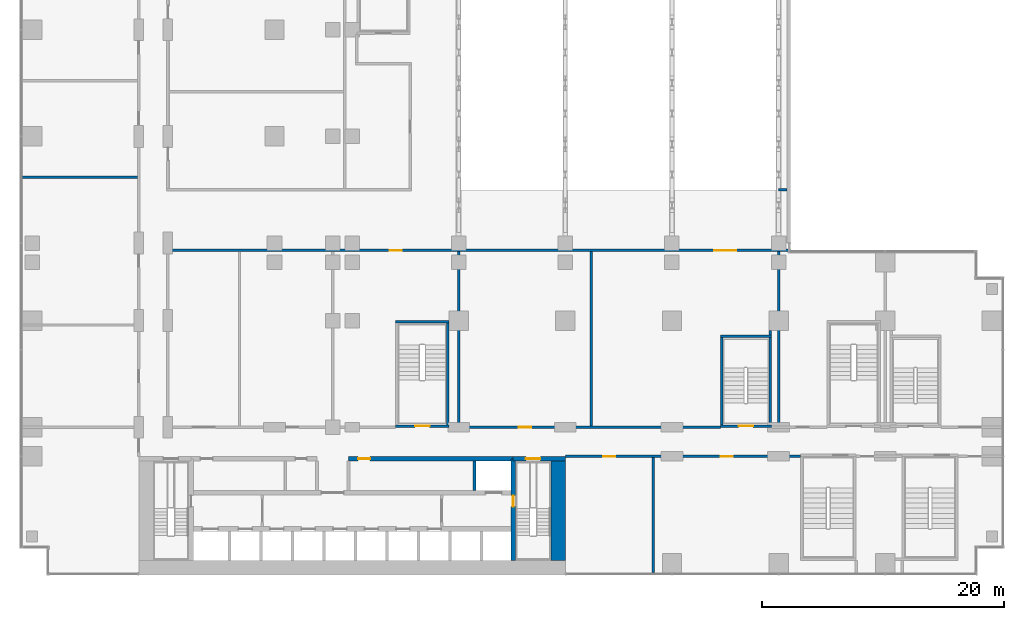
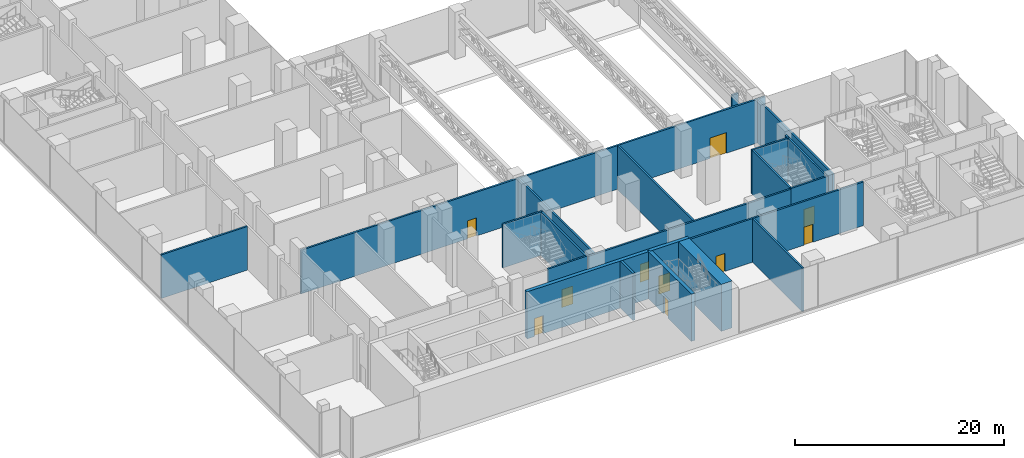
# One storey, part 19 of 30: 21 walls, 10 doors, 10 openings.
"""IFC4 building model written with IfcOpenShell, lengths in metres."""

from ifc_helpers import new_model, si_unit, direction, frame, frame_2d, origin, place, context, subcontext, project, spatial, rectangle, extrude, material, layer, layer_set, type_object, element, fill, save


model = new_model("IFC4")

# Units and contexts
model_context = context("Model", 3, precision=1e-05, world=origin(), true_north=direction((0.0, 1.0)))
body_context = subcontext(model_context, "Body", "Model", "MODEL_VIEW")
ifc_project = project(units=[si_unit("LENGTHUNIT", "METRE"), si_unit("AREAUNIT", "SQUARE_METRE"), si_unit("VOLUMEUNIT", "CUBIC_METRE"), si_unit("PLANEANGLEUNIT", "RADIAN"), si_unit("MASSUNIT", "GRAM", prefix="KILO")], contexts=[model_context])

# Site, building, storey
site_placement = place(None, origin())
site = spatial("IfcSite", under=ifc_project, at=site_placement, CompositionType="ELEMENT")
building_placement = place(site_placement, origin())
building = spatial("IfcBuilding", under=site, at=building_placement, Name="Kemantara Hotel Tower", CompositionType="ELEMENT")
storey_placement = place(building_placement, frame((0.0, 0.0, 23.5)))
storey = spatial("IfcBuildingStorey", under=building, at=storey_placement, Name="L04", CompositionType="ELEMENT", Elevation=23.5)

# Walls
ifc_material_1 = material(Name="Concrete fc 70 MPa", Category="concrete")
ifc_layer_1 = layer(ifc_material_1, 1.199951171875)
ifc_layer_set_1 = layer_set([ifc_layer_1], Name="Concrete fc 70 MPa")
wall_type_1 = type_object("IfcWallType", Name="CORE WALL 1200 FC70", PredefinedType="SHEAR", material=ifc_layer_set_1)
wall_1_placement = place(storey_placement, frame((44.39990234375, 1.199951171875, 0.0), z_axis=(0.0, 0.0, 1.0), x_axis=(0.0, 1.0, 0.0)))
element("IfcWall", 1, at=wall_1_placement, inside=storey, type_object=wall_type_1, Name="CORE WALL CW-E", PredefinedType="SHEAR", context=body_context, shape_type="SweptSolid", body=[
    extrude(rectangle(XDim=8.60009765625, YDim=1.199951171875, at=frame_2d((4.300048828125, 0.0))), origin(), (0.0, 0.0, 1.0), 5.5),
])
ifc_layer_2 = layer(ifc_material_1, 0.25)
ifc_layer_set_2 = layer_set([ifc_layer_2], Name="Concrete fc 70 MPa")
wall_type_2 = type_object("IfcWallType", Name="CORE WALL 250 FC70", PredefinedType="SHEAR", material=ifc_layer_set_2)
wall_2_placement = place(storey_placement, frame((37.5, 7.0, 0.0), z_axis=(0.0, 0.0, 1.0), x_axis=(0.0, 1.0, 0.0)))
element("IfcWall", 2, at=wall_2_placement, inside=storey, type_object=wall_type_2, Name="CORE WALL CW-DN37.5", PredefinedType="SHEAR", context=body_context, shape_type="SweptSolid", body=[
    extrude(rectangle(XDim=2.39990234375, YDim=0.25, at=frame_2d((1.199951171875, 0.0))), origin(), (0.0, 0.0, 1.0), 5.5),
])

# Wall, opening, door
ifc_layer_3 = layer(ifc_material_1, 0.39990234375)
ifc_layer_set_3 = layer_set([ifc_layer_3], Name="Concrete fc 70 MPa")
wall_type_3 = type_object("IfcWallType", Name="CORE WALL 400 FC70", PredefinedType="SHEAR", material=ifc_layer_set_3)
wall_3_placement = place(storey_placement, frame((40.699951171875, 9.60009765625, 0.0), z_axis=(0.0, 0.0, 1.0), x_axis=(1.0, 0.0, 0.0)))
wall_3 = element("IfcWall", 3, at=wall_3_placement, inside=storey, type_object=wall_type_3, Name="CORE WALL CW-N2", PredefinedType="SHEAR", context=body_context, shape_type="SweptSolid", body=[
    extrude(rectangle(XDim=4.300048828125, YDim=0.39990234375, at=frame_2d((2.14990234375, 0.0))), origin(), (0.0, 0.0, 1.0), 5.5),
])
opening_1_placement = place(wall_3_placement, frame((1.050048828125, 0.0, 0.0)))
opening_1 = element("IfcOpeningElement", 4, at=opening_1_placement, cuts=wall_3, Name="Opening C06-ST2-C", PredefinedType="OPENING", context=body_context, shape_type="SweptSolid", body=[
    extrude(rectangle(XDim=1.199951171875, YDim=2.10009765625, at=frame_2d((0.60009765625, 1.050048828125))), frame((0.0, 0.2099609375, 0.0), z_axis=(0.0, -1.0, 0.0), x_axis=(1.0, 0.0, 0.0)), (0.0, 0.0, 1.0), 0.419921875),
])
ifc_material_2 = material(Name="Steel fire door", Category="steel")
door_type_1 = type_object("IfcDoorType", Name="Fire door FD90 1200 x 2100", OperationType="NOTDEFINED", PredefinedType="DOOR", material=ifc_material_2)
door_1_placement = place(opening_1_placement, frame((1.199951171875, 0.0, 0.0), z_axis=(0.0, 0.0, 1.0), x_axis=(-1.0, 0.0, 0.0)))
door_1 = element("IfcDoor", 5, at=door_1_placement, inside=storey, type_object=door_type_1, Name="Stair ST2 door to corridor", OperationType="SINGLE_SWING_RIGHT", OverallHeight=2.10009765625, OverallWidth=1.199951171875, PredefinedType="DOOR", context=body_context, shape_type="SweptSolid", body=[
    extrude(rectangle(XDim=1.199951171875, YDim=2.10009765625, at=frame_2d((0.60009765625, 1.050048828125))), frame((0.0, 0.02490234375, 0.0), z_axis=(0.0, -1.0, 0.0), x_axis=(1.0, 0.0, 0.0)), (0.0, 0.0, 1.0), 0.050048828125),
])
fill(opening_1, door_1)

wall_4_placement = place(storey_placement, frame((27.10009765625, 9.60009765625, 0.0), z_axis=(0.0, 0.0, 1.0), x_axis=(1.0, 0.0, 0.0)))
wall_4 = element("IfcWall", 6, at=wall_4_placement, inside=storey, type_object=wall_type_3, Name="CORE WALL CW-NN2", PredefinedType="SHEAR", context=body_context, shape_type="SweptSolid", body=[
    extrude(rectangle(XDim=13.599853515625, YDim=0.39990234375, at=frame_2d((6.7998046875, 0.0))), origin(), (0.0, 0.0, 1.0), 5.5),
])
opening_2_placement = place(wall_4_placement, frame((0.800048828125, 0.0, 0.0)))
opening_2 = element("IfcOpeningElement", 7, at=opening_2_placement, cuts=wall_4, Name="Opening C06-R-NE1", PredefinedType="OPENING", context=body_context, shape_type="SweptSolid", body=[
    extrude(rectangle(XDim=1.0, YDim=2.10009765625, at=frame_2d((0.5, 1.050048828125))), frame((0.0, 0.2099609375, 0.0), z_axis=(0.0, -1.0, 0.0), x_axis=(1.0, 0.0, 0.0)), (0.0, 0.0, 1.0), 0.419921875),
])
door_type_2 = type_object("IfcDoorType", Name="Fire door FD30S 1000 x 2100", OperationType="NOTDEFINED", PredefinedType="DOOR", material=ifc_material_2)
door_2_placement = place(opening_2_placement, frame((1.0, 0.0, 0.0), z_axis=(0.0, 0.0, 1.0), x_axis=(-1.0, 0.0, 0.0)))
door_2 = element("IfcDoor", 8, at=door_2_placement, inside=storey, type_object=door_type_2, Name="Housekeeping Store door", OperationType="SINGLE_SWING_RIGHT", OverallHeight=2.10009765625, OverallWidth=1.0, PredefinedType="DOOR", context=body_context, shape_type="SweptSolid", body=[
    extrude(rectangle(XDim=1.0, YDim=2.10009765625, at=frame_2d((0.5, 1.050048828125))), frame((0.0, 0.02490234375, 0.0), z_axis=(0.0, -1.0, 0.0), x_axis=(1.0, 0.0, 0.0)), (0.0, 0.0, 1.0), 0.050048828125),
])
fill(opening_2, door_2)

wall_5_placement = place(storey_placement, frame((40.699951171875, 1.199951171875, 0.0), z_axis=(0.0, 0.0, 1.0), x_axis=(0.0, 1.0, 0.0)))
wall_5 = element("IfcWall", 9, at=wall_5_placement, inside=storey, type_object=wall_type_3, Name="CORE WALL CW-ST2W", PredefinedType="SHEAR", context=body_context, shape_type="SweptSolid", body=[
    extrude(rectangle(XDim=8.400146484375, YDim=0.39990234375, at=frame_2d((4.2001953125, 0.0))), origin(), (0.0, 0.0, 1.0), 5.5),
])
opening_3_placement = place(wall_5_placement, frame((4.449951171875, 0.0, 0.0)))
opening_3 = element("IfcOpeningElement", 10, at=opening_3_placement, cuts=wall_5, Name="Opening C06-ST2-F", PredefinedType="OPENING", context=body_context, shape_type="SweptSolid", body=[
    extrude(rectangle(XDim=0.89990234375, YDim=2.10009765625, at=frame_2d((0.449951171875, 1.050048828125))), frame((0.0, 0.2099609375, 0.0), z_axis=(0.0, -1.0, 0.0), x_axis=(1.0, 0.0, 0.0)), (0.0, 0.0, 1.0), 0.419921875),
])
door_type_3 = type_object("IfcDoorType", Name="Fire door FD90 900 x 2100", OperationType="NOTDEFINED", PredefinedType="DOOR", material=ifc_material_2)
door_3_placement = place(opening_3_placement, frame((0.89990234375, 0.0, 0.0), z_axis=(0.0, 0.0, 1.0), x_axis=(-1.0, 0.0, 0.0)))
door_3 = element("IfcDoor", 11, at=door_3_placement, inside=storey, type_object=door_type_3, Name="Stair ST2 door to firefighting lobby", OperationType="SINGLE_SWING_LEFT", OverallHeight=2.10009765625, OverallWidth=0.89990234375, PredefinedType="DOOR", context=body_context, shape_type="SweptSolid", body=[
    extrude(rectangle(XDim=0.89990234375, YDim=2.10009765625, at=frame_2d((0.449951171875, 1.050048828125))), frame((0.0, 0.02490234375, 0.0), z_axis=(0.0, -1.0, 0.0), x_axis=(1.0, 0.0, 0.0)), (0.0, 0.0, 1.0), 0.050048828125),
])
fill(opening_3, door_3)

ifc_material_3 = material(Name="Concrete fc 40 MPa", Category="concrete")
ifc_layer_4 = layer(ifc_material_3, 0.199951171875)
ifc_layer_set_4 = layer_set([ifc_layer_4], Name="Concrete fc 40 MPa")
wall_type_4 = type_object("IfcWallType", Name="Concrete stair wall 200 mm", PredefinedType="SHEAR", material=ifc_layer_set_4)
wall_6_placement = place(storey_placement, frame((57.800048828125, 12.300048828125, 0.0), z_axis=(0.0, 0.0, 1.0), x_axis=(1.0, 0.0, 0.0)))
wall_6 = element("IfcWall", 12, at=wall_6_placement, inside=storey, type_object=wall_type_4, Name="Stair ST3 enclosure wall with door", PredefinedType="SHEAR", context=body_context, shape_type="SweptSolid", body=[
    extrude(rectangle(XDim=4.199951171875, YDim=0.199951171875, at=frame_2d((2.10009765625, 0.0))), origin(), (0.0, 0.0, 1.0), 5.10009765625),
])
opening_4_placement = place(wall_6_placement, frame((1.5, 0.0, 0.0)))
opening_4 = element("IfcOpeningElement", 13, at=opening_4_placement, cuts=wall_6, Name="Opening ST3-C", PredefinedType="OPENING", context=body_context, shape_type="SweptSolid", body=[
    extrude(rectangle(XDim=1.199951171875, YDim=2.10009765625, at=frame_2d((0.60009765625, 1.050048828125))), frame((0.0, 0.10986328125, 0.0), z_axis=(0.0, -1.0, 0.0), x_axis=(1.0, 0.0, 0.0)), (0.0, 0.0, 1.0), 0.219970703125),
])
door_4_placement = place(opening_4_placement, origin())
door_4 = element("IfcDoor", 14, at=door_4_placement, inside=storey, type_object=door_type_1, Name="Stair ST3 door", OperationType="SINGLE_SWING_RIGHT", OverallHeight=2.10009765625, OverallWidth=1.199951171875, PredefinedType="DOOR", context=body_context, shape_type="SweptSolid", body=[
    extrude(rectangle(XDim=1.199951171875, YDim=2.10009765625, at=frame_2d((0.60009765625, 1.050048828125))), frame((0.0, 0.02490234375, 0.0), z_axis=(0.0, -1.0, 0.0), x_axis=(1.0, 0.0, 0.0)), (0.0, 0.0, 1.0), 0.050048828125),
])
fill(opening_4, door_4)

# Walls
wall_7_placement = place(storey_placement, frame((57.800048828125, 19.699951171875, 0.0), z_axis=(0.0, 0.0, 1.0), x_axis=(1.0, 0.0, 0.0)))
element("IfcWall", 15, at=wall_7_placement, inside=storey, type_object=wall_type_4, Name="Stair ST3 enclosure wall N", PredefinedType="SHEAR", context=body_context, shape_type="SweptSolid", body=[
    extrude(rectangle(XDim=4.199951171875, YDim=0.199951171875, at=frame_2d((2.10009765625, 0.0))), origin(), (0.0, 0.0, 1.0), 5.10009765625),
])
wall_8_placement = place(storey_placement, frame((57.89990234375, 12.39990234375, 0.0), z_axis=(0.0, 0.0, 1.0), x_axis=(0.0, 1.0, 0.0)))
element("IfcWall", 16, at=wall_8_placement, inside=storey, type_object=wall_type_4, Name="Stair ST3 enclosure wall W", PredefinedType="SHEAR", context=body_context, shape_type="SweptSolid", body=[
    extrude(rectangle(XDim=7.2001953125, YDim=0.199951171875, at=frame_2d((3.60009765625, 0.0))), origin(), (0.0, 0.0, 1.0), 5.10009765625),
])
wall_9_placement = place(storey_placement, frame((61.89990234375, 12.39990234375, 0.0), z_axis=(0.0, 0.0, 1.0), x_axis=(0.0, 1.0, 0.0)))
element("IfcWall", 17, at=wall_9_placement, inside=storey, type_object=wall_type_4, Name="Stair ST3 enclosure wall E", PredefinedType="SHEAR", context=body_context, shape_type="SweptSolid", body=[
    extrude(rectangle(XDim=7.800048828125, YDim=0.199951171875, at=frame_2d((3.89990234375, 0.0))), origin(), (0.0, 0.0, 1.0), 5.10009765625),
])

# Wall, opening, door
wall_10_placement = place(storey_placement, frame((31.0, 12.300048828125, 0.0), z_axis=(0.0, 0.0, 1.0), x_axis=(1.0, 0.0, 0.0)))
wall_10 = element("IfcWall", 18, at=wall_10_placement, inside=storey, type_object=wall_type_4, Name="Stair PS3 enclosure wall with door", PredefinedType="SHEAR", context=body_context, shape_type="SweptSolid", body=[
    extrude(rectangle(XDim=4.39990234375, YDim=0.199951171875, at=frame_2d((2.199951171875, 0.0))), origin(), (0.0, 0.0, 1.0), 5.10009765625),
])
opening_5_placement = place(wall_10_placement, frame((1.60009765625, 0.0, 0.0)))
opening_5 = element("IfcOpeningElement", 19, at=opening_5_placement, cuts=wall_10, Name="Opening PS3-C", PredefinedType="OPENING", context=body_context, shape_type="SweptSolid", body=[
    extrude(rectangle(XDim=1.199951171875, YDim=2.10009765625, at=frame_2d((0.60009765625, 1.050048828125))), frame((0.0, 0.10986328125, 0.0), z_axis=(0.0, -1.0, 0.0), x_axis=(1.0, 0.0, 0.0)), (0.0, 0.0, 1.0), 0.219970703125),
])
door_5_placement = place(opening_5_placement, origin())
door_5 = element("IfcDoor", 20, at=door_5_placement, inside=storey, type_object=door_type_1, Name="Stair PS3 door", OperationType="SINGLE_SWING_LEFT", OverallHeight=2.10009765625, OverallWidth=1.199951171875, PredefinedType="DOOR", context=body_context, shape_type="SweptSolid", body=[
    extrude(rectangle(XDim=1.199951171875, YDim=2.10009765625, at=frame_2d((0.60009765625, 1.050048828125))), frame((0.0, 0.02490234375, 0.0), z_axis=(0.0, -1.0, 0.0), x_axis=(1.0, 0.0, 0.0)), (0.0, 0.0, 1.0), 0.050048828125),
])
fill(opening_5, door_5)

# Walls
wall_11_placement = place(storey_placement, frame((31.0, 20.89990234375, 0.0), z_axis=(0.0, 0.0, 1.0), x_axis=(1.0, 0.0, 0.0)))
element("IfcWall", 21, at=wall_11_placement, inside=storey, type_object=wall_type_4, Name="Stair PS3 enclosure wall N", PredefinedType="SHEAR", context=body_context, shape_type="SweptSolid", body=[
    extrude(rectangle(XDim=4.39990234375, YDim=0.199951171875, at=frame_2d((2.199951171875, 0.0))), origin(), (0.0, 0.0, 1.0), 5.10009765625),
])
wall_12_placement = place(storey_placement, frame((35.300048828125, 12.39990234375, 0.0), z_axis=(0.0, 0.0, 1.0), x_axis=(0.0, 1.0, 0.0)))
element("IfcWall", 22, at=wall_12_placement, inside=storey, type_object=wall_type_4, Name="Stair PS3 enclosure wall E", PredefinedType="SHEAR", context=body_context, shape_type="SweptSolid", body=[
    extrude(rectangle(XDim=8.400146484375, YDim=0.199951171875, at=frame_2d((4.2001953125, 0.0))), origin(), (0.0, 0.0, 1.0), 5.10009765625),
])
ifc_material_4 = material(Name="Clay brick masonry", Category="masonry")
ifc_layer_5 = layer(ifc_material_4, 0.199951171875)
ifc_layer_set_5 = layer_set([ifc_layer_5], Name="Clay brick masonry")
wall_type_5 = type_object("IfcWallType", Name="FIRE-RATED CLAY BRICK WALL 200 EI 120", PredefinedType="PARTITIONING", material=ifc_layer_set_5)
wall_13_placement = place(storey_placement, frame((62.60009765625, 31.800048828125, 0.0), z_axis=(0.0, 0.0, 1.0), x_axis=(1.0, 0.0, 0.0)))
element("IfcWall", 23, at=wall_13_placement, inside=storey, type_object=wall_type_5, Name="FIRE WALL", PredefinedType="PARTITIONING", context=body_context, shape_type="SweptSolid", body=[
    extrude(rectangle(XDim=0.699951171875, YDim=0.199951171875, at=frame_2d((0.35009765625, 0.0))), origin(), (0.0, 0.0, 1.0), 2.5),
])

# Wall, openings, doors
ifc_material_5 = material(Name="Fire-rated gypsum board partition")
ifc_layer_6 = layer(ifc_material_5, 0.199951171875)
ifc_layer_set_6 = layer_set([ifc_layer_6], Name="Fire-rated gypsum board partition")
wall_type_6 = type_object("IfcWallType", Name="FIRE-RATED GYPSUM PARTITION 200 EI 60", PredefinedType="PARTITIONING", material=ifc_layer_set_6)
wall_14_placement = place(storey_placement, frame((45.0, 9.800048828125, 0.0), z_axis=(0.0, 0.0, 1.0), x_axis=(1.0, 0.0, 0.0)))
wall_14 = element("IfcWall", 24, at=wall_14_placement, inside=storey, type_object=wall_type_6, Name="FIRE-RATED PARTITION", PredefinedType="PARTITIONING", context=body_context, shape_type="SweptSolid", body=[
    extrude(rectangle(XDim=19.39990234375, YDim=0.199951171875, at=frame_2d((9.699951171875, 0.0))), origin(), (0.0, 0.0, 1.0), 5.10009765625),
])
opening_6_placement = place(wall_14_placement, frame((3.1201171875, 0.0, 0.0)))
opening_6 = element("IfcOpeningElement", 25, at=opening_6_placement, cuts=wall_14, Name="Opening L04-B003", PredefinedType="OPENING", context=body_context, shape_type="SweptSolid", body=[
    extrude(rectangle(XDim=1.0, YDim=2.10009765625, at=frame_2d((0.5, 1.050048828125))), frame((0.0, 0.10986328125, 0.0), z_axis=(0.0, -1.0, 0.0), x_axis=(1.0, 0.0, 0.0)), (0.0, 0.0, 1.0), 0.219970703125),
])
opening_7_placement = place(wall_14_placement, frame((12.820068359375, 0.0, 0.0)))
opening_7 = element("IfcOpeningElement", 26, at=opening_7_placement, cuts=wall_14, Name="Opening L04-B004", PredefinedType="OPENING", context=body_context, shape_type="SweptSolid", body=[
    extrude(rectangle(XDim=1.0, YDim=2.10009765625, at=frame_2d((0.5, 1.050048828125))), frame((0.0, 0.10986328125, 0.0), z_axis=(0.0, -1.0, 0.0), x_axis=(1.0, 0.0, 0.0)), (0.0, 0.0, 1.0), 0.219970703125),
])
ifc_material_6 = material(Name="Timber veneer door leaf", Category="wood")
door_type_4 = type_object("IfcDoorType", Name="SINGLE LEAF TIMBER DOOR 1000 X 2100", OperationType="SINGLE_SWING_LEFT", PredefinedType="DOOR", material=ifc_material_6)
door_6_placement = place(opening_6_placement, frame((1.0, 0.0, 0.0), z_axis=(0.0, 0.0, 1.0), x_axis=(-1.0, 0.0, 0.0)))
door_6 = element("IfcDoor", 27, at=door_6_placement, inside=storey, type_object=door_type_4, Name="SINGLE LEAF TIMBER DOOR", OperationType="SINGLE_SWING_RIGHT", OverallHeight=2.10009765625, OverallWidth=1.0, PredefinedType="DOOR", context=body_context, shape_type="SweptSolid", body=[
    extrude(rectangle(XDim=1.0, YDim=2.10009765625, at=frame_2d((0.5, 1.050048828125))), frame((0.0, 0.02490234375, 0.0), z_axis=(0.0, -1.0, 0.0), x_axis=(1.0, 0.0, 0.0)), (0.0, 0.0, 1.0), 0.050048828125),
])
fill(opening_6, door_6)
door_7_placement = place(opening_7_placement, frame((1.0, 0.0, 0.0), z_axis=(0.0, 0.0, 1.0), x_axis=(-1.0, 0.0, 0.0)))
door_7 = element("IfcDoor", 28, at=door_7_placement, inside=storey, type_object=door_type_4, Name="SINGLE LEAF TIMBER DOOR", OperationType="SINGLE_SWING_LEFT", OverallHeight=2.10009765625, OverallWidth=1.0, PredefinedType="DOOR", context=body_context, shape_type="SweptSolid", body=[
    extrude(rectangle(XDim=1.0, YDim=2.10009765625, at=frame_2d((0.5, 1.050048828125))), frame((0.0, 0.02490234375, 0.0), z_axis=(0.0, -1.0, 0.0), x_axis=(1.0, 0.0, 0.0)), (0.0, 0.0, 1.0), 0.050048828125),
])
fill(opening_7, door_7)

# Wall, opening, door
wall_15_placement = place(storey_placement, frame((35.39990234375, 12.199951171875, 0.0), z_axis=(0.0, 0.0, 1.0), x_axis=(1.0, 0.0, 0.0)))
wall_15 = element("IfcWall", 29, at=wall_15_placement, inside=storey, type_object=wall_type_6, Name="FIRE-RATED PARTITION", PredefinedType="PARTITIONING", context=body_context, shape_type="SweptSolid", body=[
    extrude(rectangle(XDim=22.400146484375, YDim=0.199951171875, at=frame_2d((11.2001953125, 0.0))), origin(), (0.0, 0.0, 1.0), 5.10009765625),
])
opening_8_placement = place(wall_15_placement, frame((5.77001953125, 0.0, 0.0)))
opening_8 = element("IfcOpeningElement", 30, at=opening_8_placement, cuts=wall_15, Name="Opening L04-B025", PredefinedType="OPENING", context=body_context, shape_type="SweptSolid", body=[
    extrude(rectangle(XDim=1.0, YDim=2.10009765625, at=frame_2d((0.5, 1.050048828125))), frame((0.0, 0.10986328125, 0.0), z_axis=(0.0, -1.0, 0.0), x_axis=(1.0, 0.0, 0.0)), (0.0, 0.0, 1.0), 0.219970703125),
])
door_8_placement = place(opening_8_placement, origin())
door_8 = element("IfcDoor", 31, at=door_8_placement, inside=storey, type_object=door_type_4, Name="SINGLE LEAF TIMBER DOOR", OperationType="SINGLE_SWING_LEFT", OverallHeight=2.10009765625, OverallWidth=1.0, PredefinedType="DOOR", context=body_context, shape_type="SweptSolid", body=[
    extrude(rectangle(XDim=1.0, YDim=2.10009765625, at=frame_2d((0.5, 1.050048828125))), frame((0.0, 0.02490234375, 0.0), z_axis=(0.0, -1.0, 0.0), x_axis=(1.0, 0.0, 0.0)), (0.0, 0.0, 1.0), 0.050048828125),
])
fill(opening_8, door_8)

# Wall, openings, doors
ifc_material_7 = material(Name="Gypsum board partition")
ifc_layer_7 = layer(ifc_material_7, 0.199951171875)
ifc_layer_set_7 = layer_set([ifc_layer_7], Name="Gypsum board partition")
wall_type_7 = type_object("IfcWallType", Name="GYPSUM BOARD PARTITION 200", PredefinedType="PARTITIONING", material=ifc_layer_set_7)
wall_16_placement = place(storey_placement, frame((12.10009765625, 26.800048828125, 0.0), z_axis=(0.0, 0.0, 1.0), x_axis=(1.0, 0.0, 0.0)))
wall_16 = element("IfcWall", 32, at=wall_16_placement, inside=storey, type_object=wall_type_7, Name="PARTITION", PredefinedType="PARTITIONING", context=body_context, shape_type="SweptSolid", body=[
    extrude(rectangle(XDim=51.2998046875, YDim=0.199951171875, at=frame_2d((25.64990234375, 0.0))), origin(), (0.0, 0.0, 1.0), 5.10009765625),
])
opening_9_placement = place(wall_16_placement, frame((18.39990234375, 0.0, 0.0)))
opening_9 = element("IfcOpeningElement", 33, at=opening_9_placement, cuts=wall_16, Name="Opening L04-B024", PredefinedType="OPENING", context=body_context, shape_type="SweptSolid", body=[
    extrude(rectangle(XDim=1.0, YDim=2.10009765625, at=frame_2d((0.5, 1.050048828125))), frame((0.0, 0.10986328125, 0.0), z_axis=(0.0, -1.0, 0.0), x_axis=(1.0, 0.0, 0.0)), (0.0, 0.0, 1.0), 0.219970703125),
])
opening_10_placement = place(wall_16_placement, frame((45.199951171875, 0.0, 0.0)))
opening_10 = element("IfcOpeningElement", 34, at=opening_10_placement, cuts=wall_16, Name="Opening L04-B026", PredefinedType="OPENING", context=body_context, shape_type="SweptSolid", body=[
    extrude(rectangle(XDim=1.800048828125, YDim=2.39990234375, at=frame_2d((0.89990234375, 1.199951171875))), frame((0.0, 0.10986328125, 0.0), z_axis=(0.0, -1.0, 0.0), x_axis=(1.0, 0.0, 0.0)), (0.0, 0.0, 1.0), 0.219970703125),
])
ifc_material_8 = material(Name="Toughened glass door leaf", Category="glass")
door_type_5 = type_object("IfcDoorType", Name="GLAZED DOUBLE DOOR 1800 X 2400", OperationType="DOUBLE_DOOR_SINGLE_SWING", PredefinedType="DOOR", material=ifc_material_8)
door_9_placement = place(opening_10_placement, frame((1.800048828125, 0.0, 0.0), z_axis=(0.0, 0.0, 1.0), x_axis=(-1.0, 0.0, 0.0)))
door_9 = element("IfcDoor", 35, at=door_9_placement, inside=storey, type_object=door_type_5, Name="GLAZED DOUBLE DOOR", OperationType="DOUBLE_DOOR_SINGLE_SWING", OverallHeight=2.39990234375, OverallWidth=1.800048828125, PredefinedType="DOOR", context=body_context, shape_type="SweptSolid", body=[
    extrude(rectangle(XDim=1.800048828125, YDim=2.39990234375, at=frame_2d((0.89990234375, 1.199951171875))), frame((0.0, 0.02490234375, 0.0), z_axis=(0.0, -1.0, 0.0), x_axis=(1.0, 0.0, 0.0)), (0.0, 0.0, 1.0), 0.050048828125),
])
fill(opening_10, door_9)
door_10_placement = place(opening_9_placement, frame((1.0, 0.0, 0.0), z_axis=(0.0, 0.0, 1.0), x_axis=(-1.0, 0.0, 0.0)))
door_10 = element("IfcDoor", 36, at=door_10_placement, inside=storey, type_object=door_type_4, Name="SINGLE LEAF TIMBER DOOR", OperationType="SINGLE_SWING_RIGHT", OverallHeight=2.10009765625, OverallWidth=1.0, PredefinedType="DOOR", context=body_context, shape_type="SweptSolid", body=[
    extrude(rectangle(XDim=1.0, YDim=2.10009765625, at=frame_2d((0.5, 1.050048828125))), frame((0.0, 0.02490234375, 0.0), z_axis=(0.0, -1.0, 0.0), x_axis=(1.0, 0.0, 0.0)), (0.0, 0.0, 1.0), 0.050048828125),
])
fill(opening_9, door_10)

# Walls
wall_17_placement = place(storey_placement, frame((0.199951171875, 32.820068359375, 0.0), z_axis=(0.0, 0.0, 1.0), x_axis=(1.0, 0.0, 0.0)))
element("IfcWall", 37, at=wall_17_placement, inside=storey, type_object=wall_type_7, Name="PARTITION", PredefinedType="PARTITIONING", context=body_context, shape_type="SweptSolid", body=[
    extrude(rectangle(XDim=9.5, YDim=0.199951171875, at=frame_2d((4.75, 0.0))), origin(), (0.0, 0.0, 1.0), 5.10009765625),
])
wall_18_placement = place(storey_placement, frame((36.199951171875, 12.300048828125, 0.0), z_axis=(0.0, 0.0, 1.0), x_axis=(0.0, 1.0, 0.0)))
element("IfcWall", 38, at=wall_18_placement, inside=storey, type_object=wall_type_7, Name="PARTITION", PredefinedType="PARTITIONING", context=body_context, shape_type="SweptSolid", body=[
    extrude(rectangle(XDim=14.39990234375, YDim=0.199951171875, at=frame_2d((7.199951171875, 0.0))), origin(), (0.0, 0.0, 1.0), 5.10009765625),
])
wall_19_placement = place(storey_placement, frame((52.239990234375, 0.199951171875, 0.0), z_axis=(0.0, 0.0, 1.0), x_axis=(0.0, 1.0, 0.0)))
element("IfcWall", 39, at=wall_19_placement, inside=storey, type_object=wall_type_7, Name="PARTITION", PredefinedType="PARTITIONING", context=body_context, shape_type="SweptSolid", body=[
    extrude(rectangle(XDim=9.5, YDim=0.199951171875, at=frame_2d((4.75, 0.0))), origin(), (0.0, 0.0, 1.0), 5.10009765625),
])
for number, where, z_axis, x_axis, name in (
    (40, (47.139892578125, 12.300048828125, 0.0), (0.0, 0.0, 1.0), (0.0, 1.0, 0.0), "PARTITION"),
    (41, (62.60009765625, 12.300048828125, 0.0), (0.0, 0.0, 1.0), (0.0, 1.0, 0.0), "PARTITION"),
):
    element("IfcWall", number, at=place(storey_placement, frame(where, z_axis=z_axis, x_axis=x_axis)), inside=storey, type_object=wall_type_7, Name=name, PredefinedType="PARTITIONING", context=body_context, shape_type="SweptSolid", body=[
        extrude(rectangle(XDim=14.39990234375, YDim=0.199951171875, at=frame_2d((7.199951171875, 0.0))), origin(), (0.0, 0.0, 1.0), 5.10009765625),
    ])

save(model, "model.ifc")
